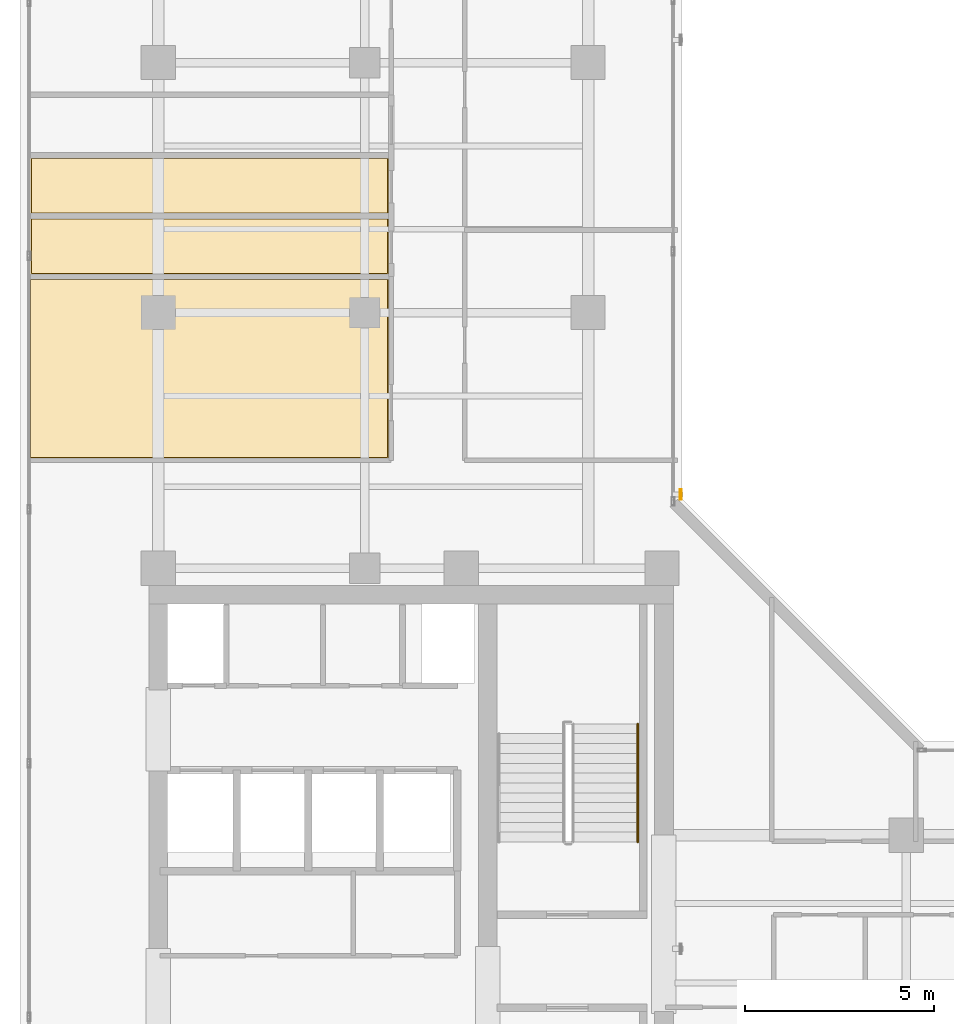
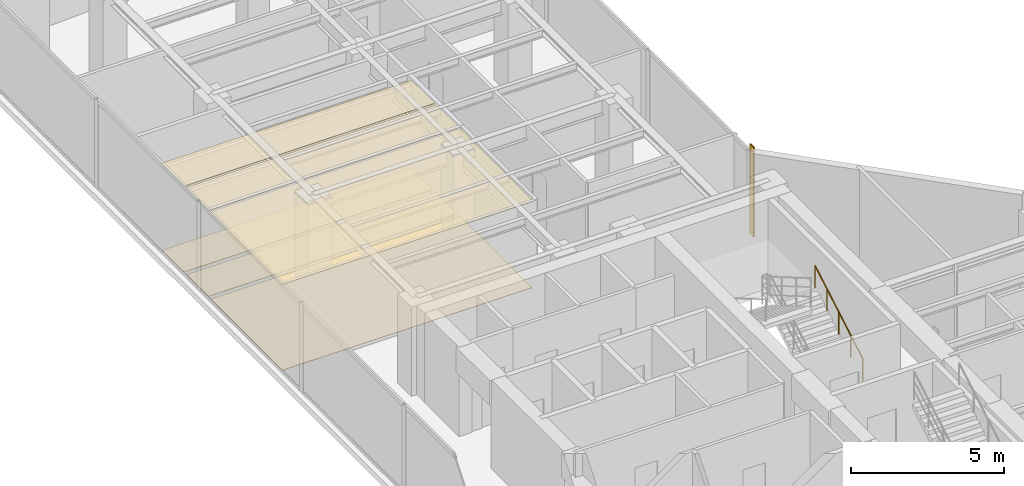
# One storey, part 21 of 23: 6 coverings, 1 railing, 1 shading device.
"""IFC4 building model written with IfcOpenShell, lengths in metres."""

from ifc_helpers import new_model, si_unit, direction, frame, origin, origin_2d, place, context, subcontext, project, spatial, polyline, hollow_rectangle, circle, outline, extrude, material, layer, layer_set, material_profile, profile_set, type_object, element, save


model = new_model("IFC4")

# Units and contexts
model_context = context("Model", 3, precision=1e-05, world=origin(), true_north=direction((0.0, 1.0)))
body_context = subcontext(model_context, "Body", "Model", "MODEL_VIEW")
ifc_project = project(units=[si_unit("LENGTHUNIT", "METRE"), si_unit("AREAUNIT", "SQUARE_METRE"), si_unit("VOLUMEUNIT", "CUBIC_METRE"), si_unit("PLANEANGLEUNIT", "RADIAN"), si_unit("MASSUNIT", "GRAM", prefix="KILO")], contexts=[model_context])

# Site, building, storey
site_placement = place(None, origin())
site = spatial("IfcSite", under=ifc_project, at=site_placement, CompositionType="ELEMENT")
building_placement = place(site_placement, origin())
building = spatial("IfcBuilding", under=site, at=building_placement, Name="Kolvaren Waterfront Exchange", CompositionType="ELEMENT")
storey_placement = place(building_placement, frame((0.0, 0.0, 304.60009765625)))
storey = spatial("IfcBuildingStorey", under=building, at=storey_placement, Name="L78", CompositionType="ELEMENT", Elevation=304.60009765625)

# Coverings
ifc_material_1 = material(Name="Mineral fibre acoustic ceiling tile")
ifc_layer_1 = layer(ifc_material_1, 0.02490234375, Name="Mineral fibre acoustic ceiling tile")
ifc_layer_set_1 = layer_set([ifc_layer_1], Name="Mineral fibre acoustic ceiling tile")
covering_type_1 = type_object("IfcCoveringType", Name="ARC-CEIL-ACOUSTIC-25", PredefinedType="CEILING", material=ifc_layer_set_1)
covering_1_placement = place(storey_placement, frame((0.0, 0.0, 3.44482421875)))
element("IfcCovering", 1, at=covering_1_placement, inside=storey, type_object=covering_type_1, Name="L78 acoustic suspended ceiling 1", PredefinedType="CEILING", context=body_context, shape_type="SweptSolid", body=[
    extrude(outline(polyline([(13.534912109375, 27.344970703125), (13.534912109375, 32.10498046875), (4.044921875, 32.10498046875), (4.044921875, 27.344970703125), (13.534912109375, 27.344970703125)])), origin(), (0.0, 0.0, 1.0), 0.025146484375),
])
covering_2_placement = place(storey_placement, frame((0.0, 0.0, 3.44482421875)))
element("IfcCovering", 2, at=covering_2_placement, inside=storey, type_object=covering_type_1, Name="L78 acoustic suspended ceiling 2", PredefinedType="CEILING", context=body_context, shape_type="SweptSolid", body=[
    extrude(outline(polyline([(13.534912109375, 32.195068359375), (13.534912109375, 33.705078125), (4.06494140625, 33.705078125), (4.06494140625, 32.195068359375), (13.534912109375, 32.195068359375)])), origin(), (0.0, 0.0, 1.0), 0.025146484375),
])
covering_3_placement = place(storey_placement, frame((0.0, 0.0, 3.44482421875)))
element("IfcCovering", 3, at=covering_3_placement, inside=storey, type_object=covering_type_1, Name="L78 acoustic suspended ceiling 3", PredefinedType="CEILING", context=body_context, shape_type="SweptSolid", body=[
    extrude(outline(polyline([(13.534912109375, 33.794921875), (13.534912109375, 35.304931640625), (4.06494140625, 35.304931640625), (4.06494140625, 33.794921875), (13.534912109375, 33.794921875)])), origin(), (0.0, 0.0, 1.0), 0.025146484375),
])

# Shading device
ifc_material_2 = material(Name="Anodised bronze aluminium 6063-T6", Category="aluminium")
ifc_material_profile = material_profile(ifc_material_2, hollow_rectangle(XDim=0.054931640625, YDim=0.280029296875, WallThickness=0.00439453125, at=origin_2d()), Name="BRZ-FIN-280x55x4.5")
ifc_profile_set = profile_set([ifc_material_profile], Name="Anodised bronze aluminium 6063-T6")
shading_device_type = type_object("IfcShadingDeviceType", Name="ARC-FIN-280", PredefinedType="USERDEFINED", material=ifc_profile_set)
shading_device_placement = place(storey_placement, frame((21.244140625, 26.39990234375, 0.0), z_axis=(0.0, 0.0, 1.0), x_axis=(1.0, 0.0, 0.0)))
element("IfcShadingDevice", 4, at=shading_device_placement, inside=storey, type_object=shading_device_type, Name="L78 anodised bronze solar shading fin FIN-L78-E2", ObjectType="SOLAR FIN", PredefinedType="USERDEFINED", context=body_context, shape_type="SweptSolid", body=[
    extrude(hollow_rectangle(XDim=0.054931640625, YDim=0.280029296875, WallThickness=0.00439453125, at=origin_2d()), origin(), (0.0, 0.0, 1.0), 3.559814453125),
])

# Coverings
ifc_material_3 = material(Name="Slip-resistant porcelain tile")
ifc_layer_2 = layer(ifc_material_3, 0.014892578125, Name="Slip-resistant porcelain tile")
ifc_layer_set_2 = layer_set([ifc_layer_2], Name="Slip-resistant porcelain tile")
covering_type_2 = type_object("IfcCoveringType", Name="ARC-FLR-PORC-15", PredefinedType="FLOORING", material=ifc_layer_set_2)
covering_4_placement = place(storey_placement, origin())
element("IfcCovering", 5, at=covering_4_placement, inside=storey, type_object=covering_type_2, Name="L78 floor finish 1", PredefinedType="FLOORING", context=body_context, shape_type="SweptSolid", body=[
    extrude(outline(polyline([(4.080078125, 32.070068359375), (4.080078125, 27.3798828125), (13.5, 27.3798828125), (13.5, 32.070068359375), (4.080078125, 32.070068359375)])), origin(), (0.0, 0.0, 1.0), 0.014892578125),
])
covering_5_placement = place(storey_placement, origin())
element("IfcCovering", 6, at=covering_5_placement, inside=storey, type_object=covering_type_2, Name="L78 floor finish 2", PredefinedType="FLOORING", context=body_context, shape_type="SweptSolid", body=[
    extrude(outline(polyline([(4.10009765625, 33.669921875), (4.10009765625, 32.22998046875), (13.5, 32.22998046875), (13.5, 33.669921875), (4.10009765625, 33.669921875)])), origin(), (0.0, 0.0, 1.0), 0.014892578125),
])
covering_6_placement = place(storey_placement, origin())
element("IfcCovering", 7, at=covering_6_placement, inside=storey, type_object=covering_type_2, Name="L78 floor finish 3", PredefinedType="FLOORING", context=body_context, shape_type="SweptSolid", body=[
    extrude(outline(polyline([(4.10009765625, 35.27001953125), (4.10009765625, 33.830078125), (13.5, 33.830078125), (13.5, 35.27001953125), (4.10009765625, 35.27001953125)])), origin(), (0.0, 0.0, 1.0), 0.014892578125),
])

# Railing
ifc_material_4 = material(Name="Stainless steel 316", Category="steel")
railing_type = type_object("IfcRailingType", Name="ARC-HANDRAIL-900", PredefinedType="HANDRAIL", material=ifc_material_4)
railing_placement = place(storey_placement, frame((20.110107421875, 17.219970703125, 0.15185546875)))
element("IfcRailing", 8, at=railing_placement, inside=storey, type_object=railing_type, Name="L78 ST2 stair handrail 1", PredefinedType="HANDRAIL", context=body_context, shape_type="SweptSolid", body=[
    extrude(circle(Radius=0.02392578125, at=origin_2d()), frame((0.0, 0.0, 0.8759765625), z_axis=(0.0, 0.86330811405, 0.504677223793), x_axis=(-1.0, 0.0, 0.0)), (0.0, 0.0, 1.0), 3.6142578125),
    extrude(circle(Radius=0.02099609375, at=origin_2d()), origin(), (0.0, 0.0, 1.0), 0.851806640625),
    extrude(circle(Radius=0.02099609375, at=origin_2d()), frame((0.0, 0.780029296875, 0.4560546875)), (0.0, 0.0, 1.0), 0.851806640625),
    extrude(circle(Radius=0.02099609375, at=origin_2d()), frame((0.0, 1.56005859375, 0.912109375)), (0.0, 0.0, 1.0), 0.851806640625),
    extrude(circle(Radius=0.02099609375, at=origin_2d()), frame((0.0, 2.340087890625, 1.367919921875)), (0.0, 0.0, 1.0), 0.851806640625),
    extrude(circle(Radius=0.02099609375, at=origin_2d()), frame((0.0, 3.1201171875, 1.823974609375)), (0.0, 0.0, 1.0), 0.851806640625),
])

save(model, "model.ifc")
